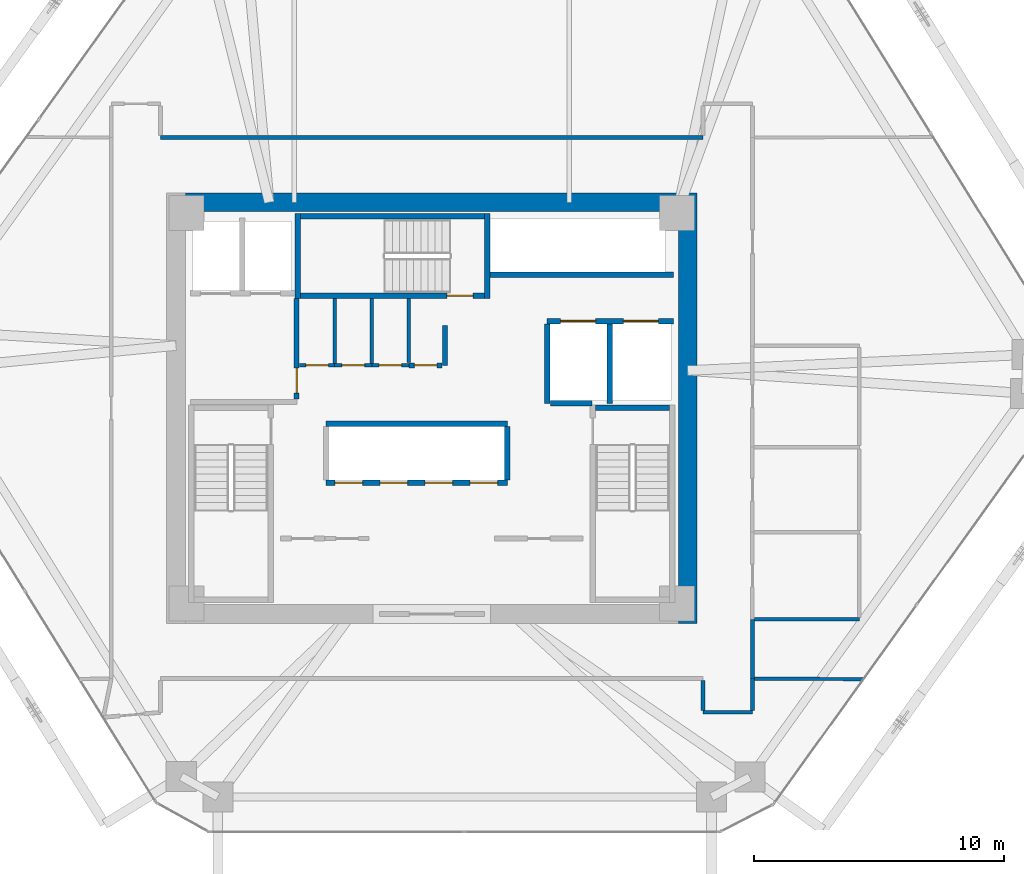
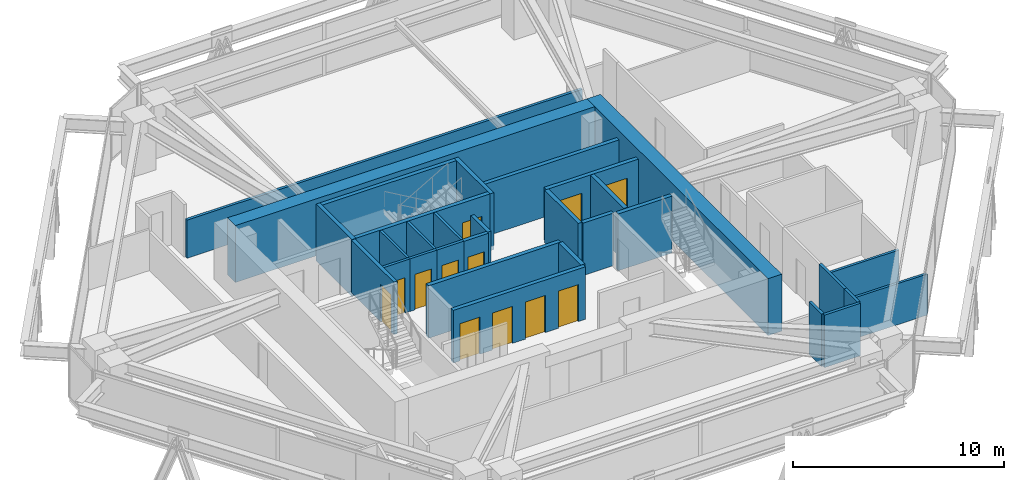
# One storey, part 13 of 15: 31 walls, 12 doors, 12 openings.
"""IFC4 building model written with IfcOpenShell, lengths in metres."""

from ifc_helpers import new_model, si_unit, direction, frame, frame_2d, origin, place, context, subcontext, project, spatial, rectangle, extrude, source, transform, mapped, material, layer, layer_set, type_object, type_shapes, element, fill, save


model = new_model("IFC4")

# Units and contexts
model_context = context("Model", 3, precision=1e-05, world=origin(), true_north=direction((0.0, 1.0)))
body_context = subcontext(model_context, "Body", "Model", "MODEL_VIEW")
ifc_project = project(units=[si_unit("LENGTHUNIT", "METRE"), si_unit("AREAUNIT", "SQUARE_METRE"), si_unit("VOLUMEUNIT", "CUBIC_METRE"), si_unit("PLANEANGLEUNIT", "RADIAN"), si_unit("MASSUNIT", "GRAM", prefix="KILO")], contexts=[model_context])

# Site, building, storey
site_placement = place(None, origin())
site = spatial("IfcSite", under=ifc_project, at=site_placement, CompositionType="ELEMENT")
building_placement = place(site_placement, origin())
building = spatial("IfcBuilding", under=site, at=building_placement, Name="Durnholm Broadcast Tower", CompositionType="ELEMENT")
storey_placement = place(building_placement, frame((0.0, 0.0, 97.5)))
storey = spatial("IfcBuildingStorey", under=building, at=storey_placement, Name="L25", CompositionType="ELEMENT", Elevation=97.5)

# Walls
ifc_material_1 = material(Name="Concrete C70/85", Category="concrete")
ifc_layer_1 = layer(ifc_material_1, 0.75)
ifc_layer_set_1 = layer_set([ifc_layer_1], Name="Concrete C70/85")
wall_type_1 = type_object("IfcWallType", Name="WALL-CW-750", PredefinedType="SHEAR", material=ifc_layer_set_1)
wall_1_placement = place(storey_placement, frame((10.22509765625, -8.60009765625, 0.0), z_axis=(0.0, 0.0, 1.0), x_axis=(0.0, 1.0, 0.0)))
element("IfcWall", 1, at=wall_1_placement, inside=storey, type_object=wall_type_1, Name="L25 central core shear wall CW-EAST", PredefinedType="SHEAR", context=body_context, shape_type="SweptSolid", body=[
    extrude(rectangle(XDim=17.2001953125, YDim=0.75, at=frame_2d((8.60009765625, 0.0))), origin(), (0.0, 0.0, 1.0), 3.300048828125),
])
wall_2_placement = place(storey_placement, frame((-9.85009765625, 8.22509765625, 0.0), z_axis=(0.0, 0.0, 1.0), x_axis=(1.0, 0.0, 0.0)))
element("IfcWall", 2, at=wall_2_placement, inside=storey, type_object=wall_type_1, Name="L25 central core shear wall CW-N", PredefinedType="SHEAR", context=body_context, shape_type="SweptSolid", body=[
    extrude(rectangle(XDim=19.7001953125, YDim=0.75, at=frame_2d((9.85009765625, 0.0))), origin(), (0.0, 0.0, 1.0), 3.300048828125),
])

# Wall, opening, door
ifc_material_2 = material(Name="Fire-Rated Gypsum Shaftwall", Category="concrete")
ifc_layer_2 = layer(ifc_material_2, 0.199951171875)
ifc_layer_set_2 = layer_set([ifc_layer_2], Name="Fire-Rated Gypsum Shaftwall")
wall_type_2 = type_object("IfcWallType", Name="WALL-LOB-200", PredefinedType="SOLIDWALL", material=ifc_layer_set_2)
wall_3_placement = place(storey_placement, frame((-5.39990234375, 0.35400390625, 0.0), z_axis=(0.0, 0.0, 1.0), x_axis=(0.0, 1.0, 0.0)))
wall_3 = element("IfcWall", 3, at=wall_3_placement, inside=storey, type_object=wall_type_2, Name="L25 Fire Service Access Elevator lobby east fire wall", PredefinedType="SOLIDWALL", context=body_context, shape_type="SweptSolid", body=[
    extrude(rectangle(XDim=4.02587890625, YDim=0.199951171875, at=frame_2d((2.012939453125, 0.0))), origin(), (0.0, 0.0, 1.0), 3.044921875),
])
opening_1_placement = place(wall_3_placement, frame((0.24609375, 0.0, 0.0)))
opening_1 = element("IfcOpeningElement", 4, at=opening_1_placement, cuts=wall_3, Name="Opening DL-60R", PredefinedType="OPENING", context=body_context, shape_type="SweptSolid", body=[
    extrude(rectangle(XDim=1.0, YDim=2.14990234375, at=frame_2d((0.5, 1.074951171875))), frame((0.0, 0.10986328125, 0.0), z_axis=(0.0, -1.0, 0.0), x_axis=(1.0, 0.0, 0.0)), (0.0, 0.0, 1.0), 0.219970703125),
])
ifc_material_3 = material(Name="Fire-Rated Timber/Steel Door", Category="steel")
ifc_layer_3 = layer(ifc_material_3, 0.050048828125)
ifc_layer_set_3 = layer_set([ifc_layer_3], Name="Fire-Rated Timber/Steel Door")
door_type_1 = type_object("IfcDoorType", Name="DOOR-LOB-FD60-R", OperationType="NOTDEFINED", PredefinedType="DOOR", material=ifc_layer_set_3)
shared_shape_1 = source(origin(), body_context, "Body", "SweptSolid", [
    extrude(rectangle(XDim=1.0, YDim=2.14990234375, at=frame_2d((0.5, 1.074951171875))), frame((0.0, 0.02490234375, 0.0), z_axis=(0.0, -1.0, 0.0), x_axis=(1.0, 0.0, 0.0)), (0.0, 0.0, 1.0), 0.050048828125),
])
type_shapes(door_type_1, [shared_shape_1])
door_1_placement = place(opening_1_placement, origin())
door_1 = element("IfcDoor", 5, at=door_1_placement, inside=storey, type_object=door_type_1, Name="L25 Fire Service Access Elevator lobby smoke door", OperationType="SINGLE_SWING_RIGHT", OverallHeight=2.14990234375, OverallWidth=1.0, PredefinedType="DOOR", context=body_context, shape_type="MappedRepresentation", body=[
    mapped(shared_shape_1, transform((0.0, 0.0, 0.0), x_axis=(1.0, 0.0, 0.0), y_axis=(0.0, 1.0, 0.0), z_axis=(0.0, 0.0, 1.0), scale=1.0)),
])
fill(opening_1, door_1)

# Wall
wall_4_placement = place(storey_placement, frame((0.52001953125, 3.300048828125, 0.0), z_axis=(0.0, 0.0, 1.0), x_axis=(0.0, -1.0, 0.0)))
element("IfcWall", 6, at=wall_4_placement, inside=storey, type_object=wall_type_2, Name="L25 Core Signal Sync Room corridor partition", PredefinedType="SOLIDWALL", context=body_context, shape_type="SweptSolid", body=[
    extrude(rectangle(XDim=1.590087890625, YDim=0.199951171875, at=frame_2d((0.794921875, 0.0))), origin(), (0.0, 0.0, 1.0), 3.044921875),
])

# Wall, opening, door
wall_5_placement = place(storey_placement, frame((0.416015625, 1.7099609375, 0.0), z_axis=(0.0, 0.0, 1.0), x_axis=(-1.0, 0.0, 0.0)))
wall_5 = element("IfcWall", 7, at=wall_5_placement, inside=storey, type_object=wall_type_2, Name="L25 Core Signal Sync Room corridor partition", PredefinedType="SOLIDWALL", context=body_context, shape_type="SweptSolid", body=[
    extrude(rectangle(XDim=1.3359375, YDim=0.199951171875, at=frame_2d((0.66796875, 0.0))), origin(), (0.0, 0.0, 1.0), 3.044921875),
])
opening_2_placement = place(wall_5_placement, frame((0.218017578125, 0.0, 0.0)))
opening_2 = element("IfcOpeningElement", 8, at=opening_2_placement, cuts=wall_5, Name="Opening DC-60L", PredefinedType="OPENING", context=body_context, shape_type="SweptSolid", body=[
    extrude(rectangle(XDim=0.89990234375, YDim=2.050048828125, at=frame_2d((0.449951171875, 1.02490234375))), frame((0.0, 0.10986328125, 0.0), z_axis=(0.0, -1.0, 0.0), x_axis=(1.0, 0.0, 0.0)), (0.0, 0.0, 1.0), 0.219970703125),
])
ifc_material_4 = material(Name="Fire-Rated Core Service Door", Category="steel")
ifc_layer_4 = layer(ifc_material_4, 0.050048828125)
ifc_layer_set_4 = layer_set([ifc_layer_4], Name="Fire-Rated Core Service Door")
door_type_2 = type_object("IfcDoorType", Name="DOOR-CORE-FD60-L", OperationType="NOTDEFINED", PredefinedType="DOOR", material=ifc_layer_set_4)
shared_shape_2 = source(origin(), body_context, "Body", "SweptSolid", [
    extrude(rectangle(XDim=0.89990234375, YDim=2.050048828125, at=frame_2d((0.449951171875, 1.02490234375))), frame((0.0, 0.02490234375, 0.0), z_axis=(0.0, -1.0, 0.0), x_axis=(1.0, 0.0, 0.0)), (0.0, 0.0, 1.0), 0.050048828125),
])
type_shapes(door_type_2, [shared_shape_2])
door_2_placement = place(opening_2_placement, origin())
door_2 = element("IfcDoor", 9, at=door_2_placement, inside=storey, type_object=door_type_2, Name="L25 Core Signal Sync Room entrance door", OperationType="SINGLE_SWING_LEFT", OverallHeight=2.050048828125, OverallWidth=0.89990234375, PredefinedType="DOOR", context=body_context, shape_type="MappedRepresentation", body=[
    mapped(shared_shape_2, transform((0.0, 0.0, 0.0), x_axis=(1.0, 0.0, 0.0), y_axis=(0.0, 1.0, 0.0), z_axis=(0.0, 0.0, 1.0), scale=1.0)),
])
fill(opening_2, door_2)

# Walls
ifc_material_5 = material(Name="Gypsum Metal Stud Partition", Category="concrete")
ifc_layer_5 = layer(ifc_material_5, 0.135009765625)
ifc_layer_set_5 = layer_set([ifc_layer_5], Name="Gypsum Metal Stud Partition")
wall_type_3 = type_object("IfcWallType", Name="WALL-PART-135", PredefinedType="PARTITIONING", material=ifc_layer_set_5)
for number, where, z_axis, x_axis, name in (
    (10, (-3.8798828125, 4.375, 0.0), (0.0, 0.0, 1.0), (0.0, -1.0, 0.0), "L25 room dividing partition 4.5"),
    (11, (-2.39990234375, 4.375, 0.0), (0.0, 0.0, 1.0), (0.0, -1.0, 0.0), "L25 room dividing partition 5.6"),
):
    element("IfcWall", number, at=place(storey_placement, frame(where, z_axis=z_axis, x_axis=x_axis)), inside=storey, type_object=wall_type_3, Name=name, PredefinedType="PARTITIONING", context=body_context, shape_type="SweptSolid", body=[
        extrude(rectangle(XDim=2.5859375, YDim=0.135009765625, at=frame_2d((1.29296875, 0.0))), origin(), (0.0, 0.0, 1.0), 3.044921875),
    ])
wall_6_placement = place(storey_placement, frame((-0.919921875, 4.375, 0.0), z_axis=(0.0, 0.0, 1.0), x_axis=(0.0, -1.0, 0.0)))
element("IfcWall", 12, at=wall_6_placement, inside=storey, type_object=wall_type_3, Name="L25 room dividing partition 6.7", PredefinedType="PARTITIONING", context=body_context, shape_type="SweptSolid", body=[
    extrude(rectangle(XDim=2.56103515625, YDim=0.135009765625, at=frame_2d((1.280517578125, 0.0))), origin(), (0.0, 0.0, 1.0), 3.044921875),
])
wall_7_placement = place(storey_placement, frame((12.888916015625, -10.810302734375, 0.0), z_axis=(0.0, 0.0, 1.0), x_axis=(0.999986140562, -0.005264853658, 0.0)))
element("IfcWall", 13, at=wall_7_placement, inside=storey, type_object=wall_type_3, Name="L25 room dividing partition 12.14", PredefinedType="PARTITIONING", context=body_context, shape_type="SweptSolid", body=[
    extrude(rectangle(XDim=4.35888671875, YDim=0.135009765625, at=frame_2d((2.179443359375, 0.0))), origin(), (0.0, 0.0, 1.0), 2.3798828125),
])

# Wall, opening, door
ifc_material_6 = material(Name="Acoustic Gypsum Stud Partition", Category="concrete")
ifc_layer_6 = layer(ifc_material_6, 0.14990234375)
ifc_layer_set_6 = layer_set([ifc_layer_6], Name="Acoustic Gypsum Stud Partition")
wall_type_4 = type_object("IfcWallType", Name="WALL-PART-150", PredefinedType="PARTITIONING", material=ifc_layer_set_6)
wall_8_placement = place(storey_placement, frame((-3.8798828125, 1.7099609375, 0.0), z_axis=(0.0, 0.0, 1.0), x_axis=(-1.0, 0.0, 0.0)))
wall_8 = element("IfcWall", 14, at=wall_8_placement, inside=storey, type_object=wall_type_4, Name="L25 Core First Aid Store corridor partition", PredefinedType="PARTITIONING", context=body_context, shape_type="SweptSolid", body=[
    extrude(rectangle(XDim=1.416015625, YDim=0.14990234375, at=frame_2d((0.7080078125, 0.0))), origin(), (0.0, 0.0, 1.0), 3.044921875),
])
opening_3_placement = place(wall_8_placement, frame((0.258056640625, 0.0, 0.0)))
opening_3 = element("IfcOpeningElement", 15, at=opening_3_placement, cuts=wall_8, Name="Opening DC-60R", PredefinedType="OPENING", context=body_context, shape_type="SweptSolid", body=[
    extrude(rectangle(XDim=0.89990234375, YDim=2.050048828125, at=frame_2d((0.449951171875, 1.02490234375))), frame((0.0, 0.0849609375, 0.0), z_axis=(0.0, -1.0, 0.0), x_axis=(1.0, 0.0, 0.0)), (0.0, 0.0, 1.0), 0.169921875),
])
ifc_layer_7 = layer(ifc_material_4, 0.050048828125)
ifc_layer_set_7 = layer_set([ifc_layer_7], Name="Fire-Rated Core Service Door")
door_type_3 = type_object("IfcDoorType", Name="DOOR-CORE-FD60-R", OperationType="NOTDEFINED", PredefinedType="DOOR", material=ifc_layer_set_7)
shared_shape_3 = source(origin(), body_context, "Body", "SweptSolid", [
    extrude(rectangle(XDim=0.89990234375, YDim=2.050048828125, at=frame_2d((0.449951171875, 1.02490234375))), frame((0.0, 0.02490234375, 0.0), z_axis=(0.0, -1.0, 0.0), x_axis=(1.0, 0.0, 0.0)), (0.0, 0.0, 1.0), 0.050048828125),
])
type_shapes(door_type_3, [shared_shape_3])
door_3_placement = place(opening_3_placement, origin())
door_3 = element("IfcDoor", 16, at=door_3_placement, inside=storey, type_object=door_type_3, Name="L25 Core First Aid Store entrance door", OperationType="SINGLE_SWING_RIGHT", OverallHeight=2.050048828125, OverallWidth=0.89990234375, PredefinedType="DOOR", context=body_context, shape_type="MappedRepresentation", body=[
    mapped(shared_shape_3, transform((0.0, 0.0, 0.0), x_axis=(1.0, 0.0, 0.0), y_axis=(0.0, 1.0, 0.0), z_axis=(0.0, 0.0, 1.0), scale=1.0)),
])
fill(opening_3, door_3)

wall_9_placement = place(storey_placement, frame((-2.39990234375, 1.7099609375, 0.0), z_axis=(0.0, 0.0, 1.0), x_axis=(-1.0, 0.0, 0.0)))
wall_9 = element("IfcWall", 17, at=wall_9_placement, inside=storey, type_object=wall_type_4, Name="L25 Core Linen Supply Closet corridor partition", PredefinedType="PARTITIONING", context=body_context, shape_type="SweptSolid", body=[
    extrude(rectangle(XDim=1.47998046875, YDim=0.14990234375, at=frame_2d((0.739990234375, 0.0))), origin(), (0.0, 0.0, 1.0), 3.044921875),
])
opening_4_placement = place(wall_9_placement, frame((0.2900390625, 0.0, 0.0)))
opening_4 = element("IfcOpeningElement", 18, at=opening_4_placement, cuts=wall_9, Name="Opening DC-60L", PredefinedType="OPENING", context=body_context, shape_type="SweptSolid", body=[
    extrude(rectangle(XDim=0.89990234375, YDim=2.050048828125, at=frame_2d((0.449951171875, 1.02490234375))), frame((0.0, 0.0849609375, 0.0), z_axis=(0.0, -1.0, 0.0), x_axis=(1.0, 0.0, 0.0)), (0.0, 0.0, 1.0), 0.169921875),
])
door_4_placement = place(opening_4_placement, origin())
door_4 = element("IfcDoor", 19, at=door_4_placement, inside=storey, type_object=door_type_2, Name="L25 Core Linen Supply Closet entrance door", OperationType="SINGLE_SWING_LEFT", OverallHeight=2.050048828125, OverallWidth=0.89990234375, PredefinedType="DOOR", context=body_context, shape_type="MappedRepresentation", body=[
    mapped(shared_shape_2, transform((0.0, 0.0, 0.0), x_axis=(1.0, 0.0, 0.0), y_axis=(0.0, 1.0, 0.0), z_axis=(0.0, 0.0, 1.0), scale=1.0)),
])
fill(opening_4, door_4)

wall_10_placement = place(storey_placement, frame((-0.919921875, 1.7099609375, 0.0), z_axis=(0.0, 0.0, 1.0), x_axis=(-1.0, 0.0, 0.0)))
wall_10 = element("IfcWall", 20, at=wall_10_placement, inside=storey, type_object=wall_type_4, Name="L25 Core Safety Gear Store corridor partition", PredefinedType="PARTITIONING", context=body_context, shape_type="SweptSolid", body=[
    extrude(rectangle(XDim=1.47998046875, YDim=0.14990234375, at=frame_2d((0.739990234375, 0.0))), origin(), (0.0, 0.0, 1.0), 3.044921875),
])
opening_5_placement = place(wall_10_placement, frame((0.2900390625, 0.0, 0.0)))
opening_5 = element("IfcOpeningElement", 21, at=opening_5_placement, cuts=wall_10, Name="Opening DC-60R", PredefinedType="OPENING", context=body_context, shape_type="SweptSolid", body=[
    extrude(rectangle(XDim=0.89990234375, YDim=2.050048828125, at=frame_2d((0.449951171875, 1.02490234375))), frame((0.0, 0.0849609375, 0.0), z_axis=(0.0, -1.0, 0.0), x_axis=(1.0, 0.0, 0.0)), (0.0, 0.0, 1.0), 0.169921875),
])
door_5_placement = place(opening_5_placement, origin())
door_5 = element("IfcDoor", 22, at=door_5_placement, inside=storey, type_object=door_type_3, Name="L25 Core Safety Gear Store entrance door", OperationType="SINGLE_SWING_RIGHT", OverallHeight=2.050048828125, OverallWidth=0.89990234375, PredefinedType="DOOR", context=body_context, shape_type="MappedRepresentation", body=[
    mapped(shared_shape_3, transform((0.0, 0.0, 0.0), x_axis=(1.0, 0.0, 0.0), y_axis=(0.0, 1.0, 0.0), z_axis=(0.0, 0.0, 1.0), scale=1.0)),
])
fill(opening_5, door_5)

# Walls
wall_11_placement = place(storey_placement, frame((10.840087890625, 10.81005859375, 0.0), z_axis=(0.0, 0.0, 1.0), x_axis=(-1.0, 0.0, 0.0)))
element("IfcWall", 23, at=wall_11_placement, inside=storey, type_object=wall_type_4, Name="L25 Network Operations Hall corridor partition", PredefinedType="PARTITIONING", context=body_context, shape_type="SweptSolid", body=[
    extrude(rectangle(XDim=21.68017578125, YDim=0.14990234375, at=frame_2d((10.840087890625, 0.0))), origin(), (0.0, 0.0, 1.0), 2.212158203125),
])
wall_12_placement = place(storey_placement, frame((10.840087890625, -12.159912109375, 0.0), z_axis=(0.0, 0.0, 1.0), x_axis=(1.0, 0.0, 0.0)))
element("IfcWall", 24, at=wall_12_placement, inside=storey, type_object=wall_type_4, Name="L25 Open Plan Broadcast Workspace 3 corridor partition", PredefinedType="PARTITIONING", context=body_context, shape_type="SweptSolid", body=[
    extrude(rectangle(XDim=1.969970703125, YDim=0.14990234375, at=frame_2d((0.98486328125, 0.0))), origin(), (0.0, 0.0, 1.0), 3.044921875),
])
wall_13_placement = place(storey_placement, frame((10.840087890625, -10.888916015625, 0.0), z_axis=(0.0, 0.0, 1.0), x_axis=(0.0, -1.0, 0.0)))
element("IfcWall", 25, at=wall_13_placement, inside=storey, type_object=wall_type_4, Name="L25 Open Plan Broadcast Workspace 3 corridor partition", PredefinedType="PARTITIONING", context=body_context, shape_type="SweptSolid", body=[
    extrude(rectangle(XDim=1.192138671875, YDim=0.14990234375, at=frame_2d((0.59619140625, 0.0))), origin(), (0.0, 0.0, 1.0), 3.044921875),
])
wall_14_placement = place(storey_placement, frame((12.81005859375, -12.0810546875, 0.0), z_axis=(0.0, 0.0, 1.0), x_axis=(0.0, 1.0, 0.0)))
element("IfcWall", 26, at=wall_14_placement, inside=storey, type_object=wall_type_4, Name="L25 Open Plan Broadcast Workspace 3 corridor partition", PredefinedType="PARTITIONING", context=body_context, shape_type="SweptSolid", body=[
    extrude(rectangle(XDim=1.27099609375, YDim=0.14990234375, at=frame_2d((0.635498046875, 0.0))), origin(), (0.0, 0.0, 1.0), 3.044921875),
])
wall_15_placement = place(storey_placement, frame((12.81005859375, -10.81005859375, 0.0), z_axis=(0.0, 0.0, 1.0), x_axis=(0.0, 1.0, 0.0)))
element("IfcWall", 27, at=wall_15_placement, inside=storey, type_object=wall_type_4, Name="L25 Systems Lounge corridor partition", PredefinedType="PARTITIONING", context=body_context, shape_type="SweptSolid", body=[
    extrude(rectangle(XDim=2.3701171875, YDim=0.14990234375, at=frame_2d((1.18505859375, 0.0))), origin(), (0.0, 0.0, 1.0), 3.044921875),
])

# Wall, openings, doors
ifc_material_7 = material(Name="Concrete Blockwork C30/37", Category="masonry")
ifc_layer_8 = layer(ifc_material_7, 0.219970703125)
ifc_layer_set_8 = layer_set([ifc_layer_8], Name="Concrete Blockwork C30/37")
wall_type_5 = type_object("IfcWallType", Name="WALL-SHAFT-220", PredefinedType="SOLIDWALL", material=ifc_layer_set_8)
wall_16_placement = place(storey_placement, frame((4.60009765625, 3.47998046875, 0.0), z_axis=(0.0, 0.0, 1.0), x_axis=(1.0, 0.0, 0.0)))
wall_16 = element("IfcWall", 28, at=wall_16_placement, inside=storey, type_object=wall_type_5, Name="L25 freight service lifts north front wall", PredefinedType="SOLIDWALL", context=body_context, shape_type="SweptSolid", body=[
    extrude(rectangle(XDim=5.0498046875, YDim=0.219970703125, at=frame_2d((2.52490234375, 0.0))), origin(), (0.0, 0.0, 1.0), 3.044921875),
])
opening_6_placement = place(wall_16_placement, frame((0.550048828125, 0.0, 0.0)))
opening_6 = element("IfcOpeningElement", 29, at=opening_6_placement, cuts=wall_16, Name="Opening LD-SVL-2", PredefinedType="OPENING", context=body_context, shape_type="SweptSolid", body=[
    extrude(rectangle(XDim=1.39990234375, YDim=2.14990234375, at=frame_2d((0.699951171875, 1.074951171875))), frame((0.0, 0.1201171875, 0.0), z_axis=(0.0, -1.0, 0.0), x_axis=(1.0, 0.0, 0.0)), (0.0, 0.0, 1.0), 0.239990234375),
])
opening_7_placement = place(wall_16_placement, frame((3.050048828125, 0.0, 0.0)))
opening_7 = element("IfcOpeningElement", 30, at=opening_7_placement, cuts=wall_16, Name="Opening LD-SVL-1", PredefinedType="OPENING", context=body_context, shape_type="SweptSolid", body=[
    extrude(rectangle(XDim=1.39990234375, YDim=2.14990234375, at=frame_2d((0.699951171875, 1.074951171875))), frame((0.0, 0.1201171875, 0.0), z_axis=(0.0, -1.0, 0.0), x_axis=(1.0, 0.0, 0.0)), (0.0, 0.0, 1.0), 0.239990234375),
])
ifc_material_8 = material(Name="Freight Elevator Bi-Parting Sliding Landing Door", Category="steel")
ifc_layer_9 = layer(ifc_material_8, 0.050048828125)
ifc_layer_set_9 = layer_set([ifc_layer_9], Name="Freight Elevator Bi-Parting Sliding Landing Door")
door_type_4 = type_object("IfcDoorType", Name="DOOR-LIFT-SVL", OperationType="DOUBLE_DOOR_SLIDING", PredefinedType="DOOR", material=ifc_layer_set_9)
shared_shape_4 = source(origin(), body_context, "Body", "SweptSolid", [
    extrude(rectangle(XDim=1.39990234375, YDim=2.14990234375, at=frame_2d((0.699951171875, 1.074951171875))), frame((0.0, 0.02490234375, 0.0), z_axis=(0.0, -1.0, 0.0), x_axis=(1.0, 0.0, 0.0)), (0.0, 0.0, 1.0), 0.050048828125),
])
type_shapes(door_type_4, [shared_shape_4])
door_6_placement = place(opening_6_placement, origin())
door_6 = element("IfcDoor", 31, at=door_6_placement, inside=storey, type_object=door_type_4, Name="L25 freight service elevator SVL-2 sliding landing door", OperationType="DOUBLE_DOOR_SLIDING", OverallHeight=2.14990234375, OverallWidth=1.39990234375, PredefinedType="DOOR", context=body_context, shape_type="MappedRepresentation", body=[
    mapped(shared_shape_4, transform((0.0, 0.0, 0.0), x_axis=(1.0, 0.0, 0.0), y_axis=(0.0, 1.0, 0.0), z_axis=(0.0, 0.0, 1.0), scale=1.0)),
])
fill(opening_6, door_6)
door_7_placement = place(opening_7_placement, origin())
door_7 = element("IfcDoor", 32, at=door_7_placement, inside=storey, type_object=door_type_4, Name="L25 freight service elevator SVL-1 sliding landing door", OperationType="DOUBLE_DOOR_SLIDING", OverallHeight=2.14990234375, OverallWidth=1.39990234375, PredefinedType="DOOR", context=body_context, shape_type="MappedRepresentation", body=[
    mapped(shared_shape_4, transform((0.0, 0.0, 0.0), x_axis=(1.0, 0.0, 0.0), y_axis=(0.0, 1.0, 0.0), z_axis=(0.0, 0.0, 1.0), scale=1.0)),
])
fill(opening_7, door_7)

# Walls
for number, where, z_axis, x_axis, name in (
    (33, (4.6201171875, 0.179931640625, 0.0), (0.0, 0.0, 1.0), (0.0, 1.0, 0.0), "L25 freight service lift SVL-2 west wall"),
    (34, (7.1201171875, 0.179931640625, 0.0), (0.0, 0.0, 1.0), (0.0, 1.0, 0.0), "L25 freight service lifts divider wall"),
):
    element("IfcWall", number, at=place(storey_placement, frame(where, z_axis=z_axis, x_axis=x_axis)), inside=storey, type_object=wall_type_5, Name=name, PredefinedType="SOLIDWALL", context=body_context, shape_type="SweptSolid", body=[
        extrude(rectangle(XDim=3.18603515625, YDim=0.219970703125, at=frame_2d((1.593017578125, 0.0))), origin(), (0.0, 0.0, 1.0), 3.044921875),
    ])
wall_17_placement = place(storey_placement, frame((4.73388671875, 0.199951171875, 0.0), z_axis=(0.0, 0.0, 1.0), x_axis=(1.0, 0.0, 0.0)))
element("IfcWall", 35, at=wall_17_placement, inside=storey, type_object=wall_type_5, Name="L25 freight service lift SVL-2 south wall", PredefinedType="SOLIDWALL", context=body_context, shape_type="SweptSolid", body=[
    extrude(rectangle(XDim=1.666015625, YDim=0.219970703125, at=frame_2d((0.8330078125, 0.0))), origin(), (0.0, 0.0, 1.0), 3.044921875),
])

# Wall, openings, doors
wall_18_placement = place(storey_placement, frame((-4.219970703125, -2.97998046875, 0.0), z_axis=(0.0, 0.0, 1.0), x_axis=(1.0, 0.0, 0.0)))
wall_18 = element("IfcWall", 36, at=wall_18_placement, inside=storey, type_object=wall_type_5, Name="L25 mid-rise bank P2 south front wall", PredefinedType="SOLIDWALL", context=body_context, shape_type="SweptSolid", body=[
    extrude(rectangle(XDim=7.239990234375, YDim=0.219970703125, at=frame_2d((3.6201171875, 0.0))), origin(), (0.0, 0.0, 1.0), 3.044921875),
])
opening_8_placement = place(wall_18_placement, frame((0.35009765625, 0.0, 0.0)))
opening_8 = element("IfcOpeningElement", 37, at=opening_8_placement, cuts=wall_18, Name="Opening LD-LP2-1", PredefinedType="OPENING", context=body_context, shape_type="SweptSolid", body=[
    extrude(rectangle(XDim=1.10009765625, YDim=2.14990234375, at=frame_2d((0.550048828125, 1.074951171875))), frame((0.0, 0.1201171875, 0.0), z_axis=(0.0, -1.0, 0.0), x_axis=(1.0, 0.0, 0.0)), (0.0, 0.0, 1.0), 0.239990234375),
])
opening_9_placement = place(wall_18_placement, frame((2.14990234375, 0.0, 0.0)))
opening_9 = element("IfcOpeningElement", 38, at=opening_9_placement, cuts=wall_18, Name="Opening LD-LP2-2", PredefinedType="OPENING", context=body_context, shape_type="SweptSolid", body=[
    extrude(rectangle(XDim=1.10009765625, YDim=2.14990234375, at=frame_2d((0.550048828125, 1.074951171875))), frame((0.0, 0.1201171875, 0.0), z_axis=(0.0, -1.0, 0.0), x_axis=(1.0, 0.0, 0.0)), (0.0, 0.0, 1.0), 0.239990234375),
])
opening_10_placement = place(wall_18_placement, frame((3.949951171875, 0.0, 0.0)))
opening_10 = element("IfcOpeningElement", 39, at=opening_10_placement, cuts=wall_18, Name="Opening LD-LP2-3", PredefinedType="OPENING", context=body_context, shape_type="SweptSolid", body=[
    extrude(rectangle(XDim=1.10009765625, YDim=2.14990234375, at=frame_2d((0.550048828125, 1.074951171875))), frame((0.0, 0.1201171875, 0.0), z_axis=(0.0, -1.0, 0.0), x_axis=(1.0, 0.0, 0.0)), (0.0, 0.0, 1.0), 0.239990234375),
])
opening_11_placement = place(wall_18_placement, frame((5.75, 0.0, 0.0)))
opening_11 = element("IfcOpeningElement", 40, at=opening_11_placement, cuts=wall_18, Name="Opening LD-LP2-4", PredefinedType="OPENING", context=body_context, shape_type="SweptSolid", body=[
    extrude(rectangle(XDim=1.10009765625, YDim=2.14990234375, at=frame_2d((0.550048828125, 1.074951171875))), frame((0.0, 0.1201171875, 0.0), z_axis=(0.0, -1.0, 0.0), x_axis=(1.0, 0.0, 0.0)), (0.0, 0.0, 1.0), 0.239990234375),
])
ifc_material_9 = material(Name="Stainless Steel Sliding Elevator Landing Door", Category="steel")
ifc_layer_10 = layer(ifc_material_9, 0.050048828125)
ifc_layer_set_10 = layer_set([ifc_layer_10], Name="Stainless Steel Sliding Elevator Landing Door")
door_type_5 = type_object("IfcDoorType", Name="DOOR-LIFT-PAX", OperationType="DOUBLE_DOOR_SLIDING", PredefinedType="DOOR", material=ifc_layer_set_10)
shared_shape_5 = source(origin(), body_context, "Body", "SweptSolid", [
    extrude(rectangle(XDim=1.10009765625, YDim=2.14990234375, at=frame_2d((0.550048828125, 1.074951171875))), frame((0.0, 0.02490234375, 0.0), z_axis=(0.0, -1.0, 0.0), x_axis=(1.0, 0.0, 0.0)), (0.0, 0.0, 1.0), 0.050048828125),
])
type_shapes(door_type_5, [shared_shape_5])
door_8_placement = place(opening_8_placement, origin())
door_8 = element("IfcDoor", 41, at=door_8_placement, inside=storey, type_object=door_type_5, Name="L25 passenger elevator LP2-1 sliding landing door", OperationType="DOUBLE_DOOR_SLIDING", OverallHeight=2.14990234375, OverallWidth=1.10009765625, PredefinedType="DOOR", context=body_context, shape_type="MappedRepresentation", body=[
    mapped(shared_shape_5, transform((0.0, 0.0, 0.0), x_axis=(1.0, 0.0, 0.0), y_axis=(0.0, 1.0, 0.0), z_axis=(0.0, 0.0, 1.0), scale=1.0)),
])
fill(opening_8, door_8)
door_9_placement = place(opening_9_placement, origin())
door_9 = element("IfcDoor", 42, at=door_9_placement, inside=storey, type_object=door_type_5, Name="L25 passenger elevator LP2-2 sliding landing door", OperationType="DOUBLE_DOOR_SLIDING", OverallHeight=2.14990234375, OverallWidth=1.10009765625, PredefinedType="DOOR", context=body_context, shape_type="MappedRepresentation", body=[
    mapped(shared_shape_5, transform((0.0, 0.0, 0.0), x_axis=(1.0, 0.0, 0.0), y_axis=(0.0, 1.0, 0.0), z_axis=(0.0, 0.0, 1.0), scale=1.0)),
])
fill(opening_9, door_9)
door_10_placement = place(opening_10_placement, origin())
door_10 = element("IfcDoor", 43, at=door_10_placement, inside=storey, type_object=door_type_5, Name="L25 passenger elevator LP2-3 sliding landing door", OperationType="DOUBLE_DOOR_SLIDING", OverallHeight=2.14990234375, OverallWidth=1.10009765625, PredefinedType="DOOR", context=body_context, shape_type="MappedRepresentation", body=[
    mapped(shared_shape_5, transform((0.0, 0.0, 0.0), x_axis=(1.0, 0.0, 0.0), y_axis=(0.0, 1.0, 0.0), z_axis=(0.0, 0.0, 1.0), scale=1.0)),
])
fill(opening_10, door_10)
door_11_placement = place(opening_11_placement, origin())
door_11 = element("IfcDoor", 44, at=door_11_placement, inside=storey, type_object=door_type_5, Name="L25 passenger elevator LP2-4 sliding landing door", OperationType="DOUBLE_DOOR_SLIDING", OverallHeight=2.14990234375, OverallWidth=1.10009765625, PredefinedType="DOOR", context=body_context, shape_type="MappedRepresentation", body=[
    mapped(shared_shape_5, transform((0.0, 0.0, 0.0), x_axis=(1.0, 0.0, 0.0), y_axis=(0.0, 1.0, 0.0), z_axis=(0.0, 0.0, 1.0), scale=1.0)),
])
fill(opening_11, door_11)

# Walls
wall_19_placement = place(storey_placement, frame((-4.219970703125, -0.6201171875, 0.0), z_axis=(0.0, 0.0, 1.0), x_axis=(1.0, 0.0, 0.0)))
element("IfcWall", 45, at=wall_19_placement, inside=storey, type_object=wall_type_5, Name="L25 mid-rise bank P2 north shaft wall", PredefinedType="SOLIDWALL", context=body_context, shape_type="SweptSolid", body=[
    extrude(rectangle(XDim=7.239990234375, YDim=0.219970703125, at=frame_2d((3.6201171875, 0.0))), origin(), (0.0, 0.0, 1.0), 3.044921875),
])
wall_20_placement = place(storey_placement, frame((3.02001953125, -2.865966796875, 0.0), z_axis=(0.0, 0.0, 1.0), x_axis=(0.0, 1.0, 0.0)))
element("IfcWall", 46, at=wall_20_placement, inside=storey, type_object=wall_type_5, Name="L25 mid-rise bank P2 east shaft wall", PredefinedType="SOLIDWALL", context=body_context, shape_type="SweptSolid", body=[
    extrude(rectangle(XDim=2.132080078125, YDim=0.219970703125, at=frame_2d((1.06591796875, 0.0))), origin(), (0.0, 0.0, 1.0), 3.044921875),
])
wall_21_placement = place(storey_placement, frame((2.324951171875, 5.320068359375, 0.0), z_axis=(0.0, 0.0, 1.0), x_axis=(1.0, 0.0, 0.0)))
element("IfcWall", 47, at=wall_21_placement, inside=storey, type_object=wall_type_5, Name="L25 high-rise bank P3 south front wall", PredefinedType="SOLIDWALL", context=body_context, shape_type="SweptSolid", body=[
    extrude(rectangle(XDim=7.324951171875, YDim=0.219970703125, at=frame_2d((3.66259765625, 0.0))), origin(), (0.0, 0.0, 1.0), 3.044921875),
])
ifc_material_10 = material(Name="Concrete C50/60", Category="concrete")
ifc_layer_11 = layer(ifc_material_10, 0.219970703125)
ifc_layer_set_11 = layer_set([ifc_layer_11], Name="Concrete C50/60")
wall_type_6 = type_object("IfcWallType", Name="WALL-SW-220", PredefinedType="SHEAR", material=ifc_layer_set_11)
wall_22_placement = place(storey_placement, frame((9.5, 0.010009765625, -0.239990234375), z_axis=(0.0, 0.0, 1.0), x_axis=(-1.0, 0.0, 0.0)))
element("IfcWall", 48, at=wall_22_placement, inside=storey, type_object=wall_type_6, Name="L25 stair ST-2 structural shaft wall N", PredefinedType="SHEAR", context=body_context, shape_type="SweptSolid", body=[
    extrude(rectangle(XDim=2.9599609375, YDim=0.219970703125, at=frame_2d((1.47998046875, 0.0))), origin(), (0.0, 0.0, 1.0), 3.300048828125),
])
for number, where, z_axis, x_axis, name in (
    (49, (2.2099609375, 4.3798828125, -0.239990234375), (0.0, 0.0, 1.0), (0.0, 1.0, 0.0), "L25 stair ST-3 structural shaft wall E"),
    (50, (-5.360107421875, 7.780029296875, -0.239990234375), (0.0, 0.0, 1.0), (0.0, -1.0, 0.0), "L25 stair ST-3 structural shaft wall W"),
):
    element("IfcWall", number, at=place(storey_placement, frame(where, z_axis=z_axis, x_axis=x_axis)), inside=storey, type_object=wall_type_6, Name=name, PredefinedType="SHEAR", context=body_context, shape_type="SweptSolid", body=[
        extrude(rectangle(XDim=3.400146484375, YDim=0.219970703125, at=frame_2d((1.7001953125, 0.0))), origin(), (0.0, 0.0, 1.0), 3.300048828125),
    ])

# Wall, opening, door
wall_23_placement = place(storey_placement, frame((-5.25, 4.489990234375, -0.239990234375), z_axis=(0.0, 0.0, 1.0), x_axis=(1.0, 0.0, 0.0)))
wall_23 = element("IfcWall", 51, at=wall_23_placement, inside=storey, type_object=wall_type_6, Name="L25 stair ST-3 structural shaft wall S", PredefinedType="SHEAR", context=body_context, shape_type="SweptSolid", body=[
    extrude(rectangle(XDim=7.35009765625, YDim=0.219970703125, at=frame_2d((3.675048828125, 0.0))), origin(), (0.0, 0.0, 1.0), 3.300048828125),
])
opening_12_placement = place(wall_23_placement, frame((5.85009765625, 0.0, 0.0)))
opening_12 = element("IfcOpeningElement", 52, at=opening_12_placement, cuts=wall_23, Name="Opening DS-90L", PredefinedType="OPENING", context=body_context, shape_type="SweptSolid", body=[
    extrude(rectangle(XDim=1.050048828125, YDim=2.14990234375, at=frame_2d((0.52490234375, 1.074951171875))), frame((0.0, 0.1201171875, 0.0), z_axis=(0.0, -1.0, 0.0), x_axis=(1.0, 0.0, 0.0)), (0.0, 0.0, 1.0), 0.239990234375),
])
ifc_material_11 = material(Name="Fire-Rated Steel Door", Category="steel")
ifc_layer_12 = layer(ifc_material_11, 0.050048828125)
ifc_layer_set_12 = layer_set([ifc_layer_12], Name="Fire-Rated Steel Door")
door_type_6 = type_object("IfcDoorType", Name="DOOR-ST-FD90-L", OperationType="NOTDEFINED", PredefinedType="DOOR", material=ifc_layer_set_12)
shared_shape_6 = source(origin(), body_context, "Body", "SweptSolid", [
    extrude(rectangle(XDim=1.050048828125, YDim=2.14990234375, at=frame_2d((0.52490234375, 1.074951171875))), frame((0.0, 0.02490234375, 0.0), z_axis=(0.0, -1.0, 0.0), x_axis=(1.0, 0.0, 0.0)), (0.0, 0.0, 1.0), 0.050048828125),
])
type_shapes(door_type_6, [shared_shape_6])
door_12_placement = place(opening_12_placement, origin())
door_12 = element("IfcDoor", 53, at=door_12_placement, inside=storey, type_object=door_type_6, Name="L25 exit stair ST-3 fire door", OperationType="SINGLE_SWING_LEFT", OverallHeight=2.14990234375, OverallWidth=1.050048828125, PredefinedType="DOOR", context=body_context, shape_type="MappedRepresentation", body=[
    mapped(shared_shape_6, transform((0.0, 0.0, 0.0), x_axis=(1.0, 0.0, 0.0), y_axis=(0.0, 1.0, 0.0), z_axis=(0.0, 0.0, 1.0), scale=1.0)),
])
fill(opening_12, door_12)

# Walls
wall_24_placement = place(storey_placement, frame((2.10009765625, 7.669921875, -0.239990234375), z_axis=(0.0, 0.0, 1.0), x_axis=(-1.0, 0.0, 0.0)))
element("IfcWall", 54, at=wall_24_placement, inside=storey, type_object=wall_type_6, Name="L25 stair ST-3 structural shaft wall N", PredefinedType="SHEAR", context=body_context, shape_type="SweptSolid", body=[
    extrude(rectangle(XDim=7.35009765625, YDim=0.219970703125, at=frame_2d((3.675048828125, 0.0))), origin(), (0.0, 0.0, 1.0), 3.300048828125),
])
ifc_material_12 = material(Name="Moisture-Resistant Tile Partition", Category="concrete")
ifc_layer_13 = layer(ifc_material_12, 0.139892578125)
ifc_layer_set_13 = layer_set([ifc_layer_13], Name="Moisture-Resistant Tile Partition")
wall_type_7 = type_object("IfcWallType", Name="WALL-WC-140", PredefinedType="PARTITIONING", material=ifc_layer_set_13)
wall_25_placement = place(storey_placement, frame((17.090087890625, -8.43994140625, 0.0), z_axis=(0.0, 0.0, 1.0), x_axis=(-1.0, 0.0, 0.0)))
element("IfcWall", 55, at=wall_25_placement, inside=storey, type_object=wall_type_7, Name="L25 room dividing partition 8.14", PredefinedType="PARTITIONING", context=body_context, shape_type="SweptSolid", body=[
    extrude(rectangle(XDim=4.201171875, YDim=0.139892578125, at=frame_2d((2.1005859375, 0.0))), origin(), (0.0, 0.0, 1.0), 2.3798828125),
])

save(model, "model.ifc")
